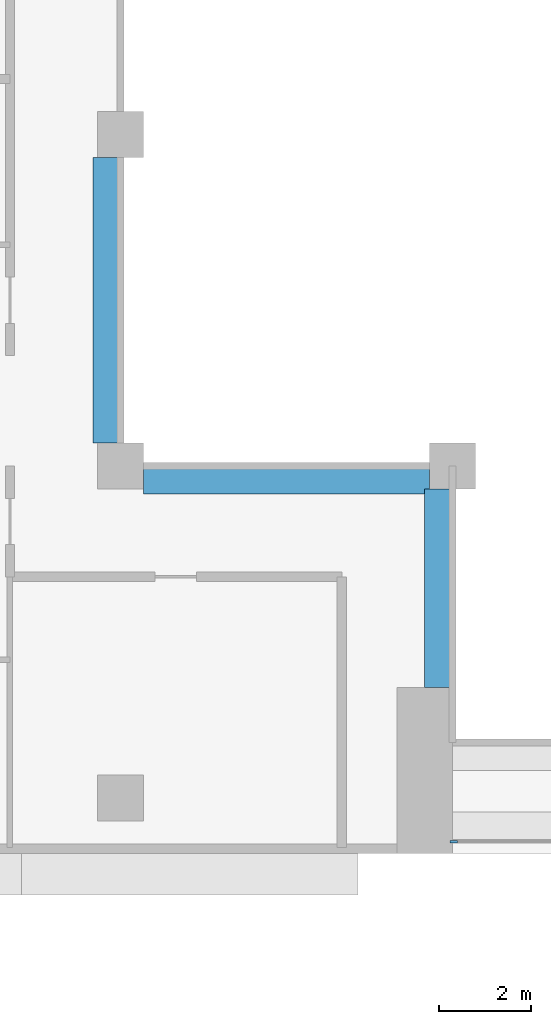
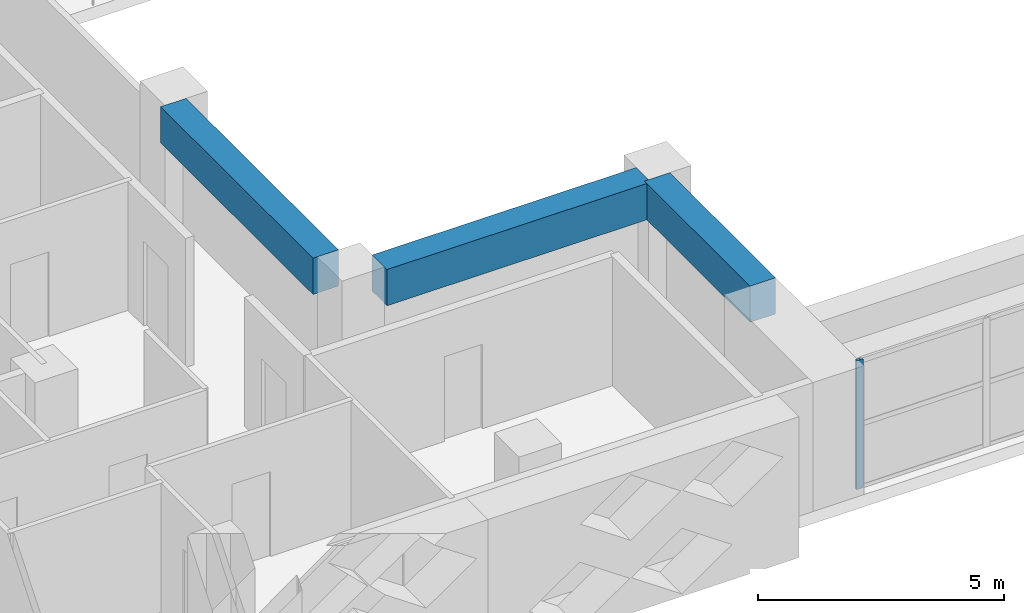
# One storey, part 2 of 20: 3 beams, 1 member, 1 element without a shape of its own.
"""IFC4 building model written with IfcOpenShell, lengths in metres."""

from ifc_helpers import new_model, si_unit, direction, frame, origin, origin_2d, place, context, subcontext, project, spatial, rectangle, extrude, source, transform, mapped, material, layer, layer_set, material_profile, profile_set, type_object, element, aggregate, save


model = new_model("IFC4")

# Units and contexts
model_context = context("Model", 3, precision=1e-05, world=origin(), true_north=direction((0.0, 1.0)))
body_context = subcontext(model_context, "Body", "Model", "MODEL_VIEW")
ifc_project = project(units=[si_unit("LENGTHUNIT", "METRE"), si_unit("AREAUNIT", "SQUARE_METRE"), si_unit("VOLUMEUNIT", "CUBIC_METRE"), si_unit("PLANEANGLEUNIT", "RADIAN"), si_unit("MASSUNIT", "GRAM", prefix="KILO")], contexts=[model_context])

# Site, building, storey
site_placement = place(None, origin())
site = spatial("IfcSite", under=ifc_project, at=site_placement, CompositionType="ELEMENT")
building_placement = place(site_placement, origin())
building = spatial("IfcBuilding", under=site, at=building_placement, Name="Saffron Iwan Residences", CompositionType="ELEMENT")
storey_placement = place(building_placement, frame((0.0, 0.0, 157.0)))
storey = spatial("IfcBuildingStorey", under=building, at=storey_placement, Name="L41", CompositionType="ELEMENT", Elevation=157.0)

# Beams
ifc_material_1 = material(Name="Concrete C50/60", Category="concrete")
ifc_material_profile_1 = material_profile(ifc_material_1, rectangle(XDim=0.60009765625, YDim=0.89990234375, at=origin_2d()), Name="RC 600x900")
ifc_profile_set_1 = profile_set([ifc_material_profile_1], Name="Concrete C50/60")
beam_type = type_object("IfcBeamType", Name="BEAM RC 600x900 C50/60 TOP 3200", PredefinedType="BEAM", material=ifc_profile_set_1)
shared_shape_1 = source(origin(), body_context, "Body", "SweptSolid", [
    extrude(rectangle(XDim=0.60009765625, YDim=0.89990234375, at=origin_2d()), origin(), (0.0, 0.0, 1.0), 4.300048828125),
])
beam_placement = place(storey_placement, frame((42.89990234375, 43.199951171875, 2.75), z_axis=(0.0, 1.0, 0.0), x_axis=(-1.0, 0.0, 0.0)))
element("IfcBeam", 1, at=beam_placement, inside=storey, type_object=beam_type, Name="Atrium edge beam", PredefinedType="BEAM", context=body_context, shape_type="MappedRepresentation", body=[
    mapped(shared_shape_1, transform((0.0, 0.0, 0.0))),
])
shared_shape_2 = source(origin(), body_context, "Body", "SweptSolid", [
    extrude(rectangle(XDim=0.60009765625, YDim=0.89990234375, at=origin_2d()), origin(), (0.0, 0.0, 1.0), 6.199951171875),
])
for number, where, z_axis, x_axis, name in (
    (2, (42.699951171875, 47.699951171875, 2.75), (-1.0, 0.0, 0.0), (0.0, -1.0, 0.0), "Atrium edge beam"),
    (3, (35.699951171875, 48.5, 2.75), (0.0, 1.0, 0.0), (-1.0, 0.0, 0.0), "Atrium edge beam"),
):
    element("IfcBeam", number, at=place(storey_placement, frame(where, z_axis=z_axis, x_axis=x_axis)), inside=storey, type_object=beam_type, Name=name, PredefinedType="BEAM", context=body_context, shape_type="MappedRepresentation", body=[
        mapped(shared_shape_2, transform((0.0, 0.0, 0.0))),
    ])

# Curtain wall, member
ifc_material_2 = material(Name="Clear glass, laminated double glazed", Category="glass")
ifc_layer = layer(ifc_material_2, 0.199951171875)
ifc_layer_set = layer_set([ifc_layer], Name="Clear glass, laminated double glazed")
curtain_wall_type = type_object("IfcCurtainWallType", Name="CW-B IWAN PORTAL", PredefinedType="NOTDEFINED", material=ifc_layer_set)
curtain_wall_placement = place(storey_placement, origin())
curtain_wall = element("IfcCurtainWall", 4, at=curtain_wall_placement, inside=storey, type_object=curtain_wall_type, Name="Iwan portal glazing L41.1", PredefinedType="NOTDEFINED")
ifc_material_3 = material(Name="Aluminium 6063-T6", Category="aluminium")
ifc_material_profile_2 = material_profile(ifc_material_3, rectangle(XDim=0.06005859375, YDim=0.159912109375, at=origin_2d()), Name="CW-B MULLION 60 x 160")
ifc_profile_set_2 = profile_set([ifc_material_profile_2], Name="Aluminium 6063-T6")
member_type = type_object("IfcMemberType", Name="CW-B MULLION 60 x 160", PredefinedType="MULLION", material=ifc_profile_set_2)
shared_shape_3 = source(origin(), body_context, "Body", "SweptSolid", [
    extrude(rectangle(XDim=0.06005859375, YDim=0.159912109375, at=origin_2d()), origin(), (0.0, 0.0, 1.0), 3.199951171875),
])
member_placement = place(storey_placement, frame((43.22998046875, 39.85009765625, 0.0), z_axis=(0.0, 0.0, 1.0), x_axis=(0.0, 1.0, 0.0)))
member = element("IfcMember", 5, at=member_placement, type_object=member_type, Name="CW-B mullion 1", PredefinedType="MULLION", context=body_context, shape_type="MappedRepresentation", body=[
    mapped(shared_shape_3, transform((0.0, 0.0, 0.0))),
])
aggregate(curtain_wall, [member])

save(model, "model.ifc")
